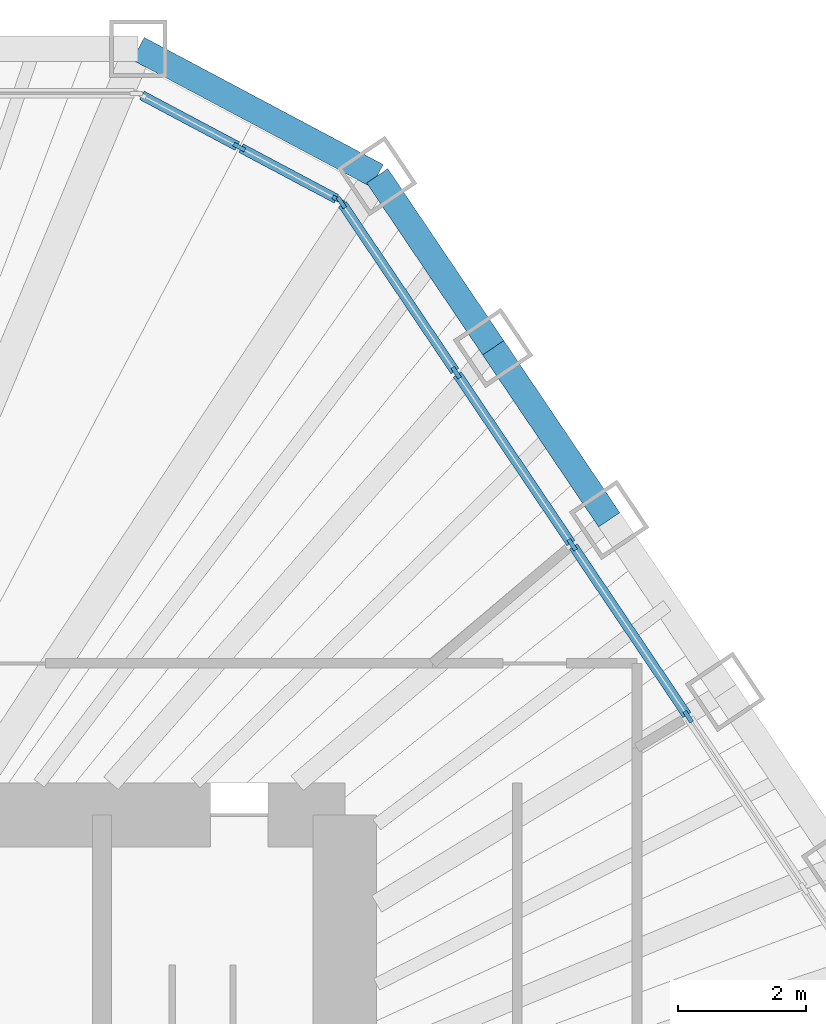
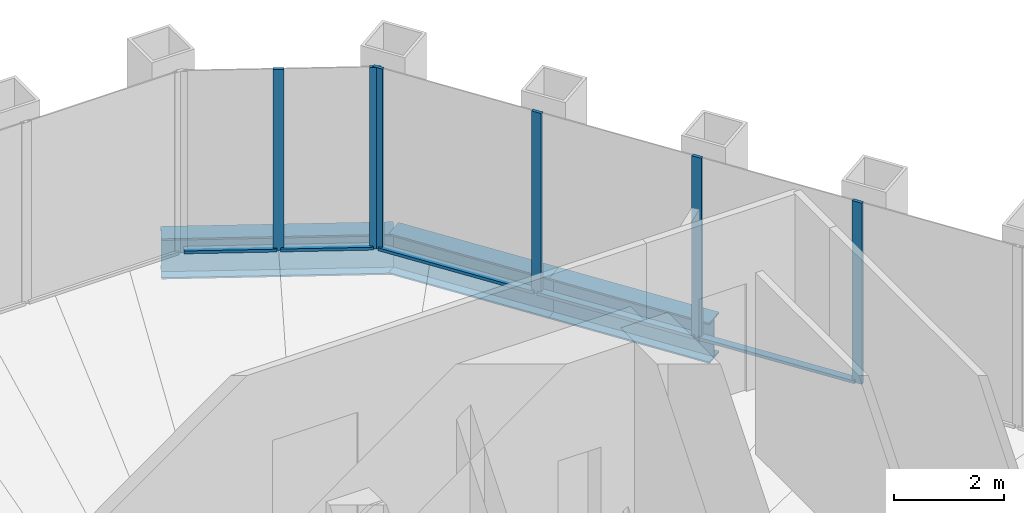
# One storey, part 8 of 14: 11 members, 3 beams, 2 elements without a shape of their own.
"""IFC4 building model written with IfcOpenShell, lengths in metres."""

from ifc_helpers import new_model, si_unit, direction, frame, origin, origin_2d, place, context, subcontext, project, spatial, rectangle, i_section, extrude, material, material_profile, profile_set, type_object, element, aggregate, save


model = new_model("IFC4")

# Units and contexts
model_context = context("Model", 3, precision=1e-05, world=origin(), true_north=direction((0.0, 1.0)))
body_context = subcontext(model_context, "Body", "Model", "MODEL_VIEW")
ifc_project = project(units=[si_unit("LENGTHUNIT", "METRE"), si_unit("AREAUNIT", "SQUARE_METRE"), si_unit("VOLUMEUNIT", "CUBIC_METRE"), si_unit("PLANEANGLEUNIT", "RADIAN"), si_unit("MASSUNIT", "GRAM", prefix="KILO")], contexts=[model_context])

# Site, building, storey
site_placement = place(None, origin())
site = spatial("IfcSite", under=ifc_project, at=site_placement, CompositionType="ELEMENT")
building_placement = place(site_placement, origin())
building = spatial("IfcBuilding", under=site, at=building_placement, Name="Qingtian Harvest Tower", CompositionType="ELEMENT")
storey_placement = place(building_placement, frame((0.0, 0.0, 295.60009765625)))
storey = spatial("IfcBuildingStorey", under=building, at=storey_placement, Name="L65", CompositionType="ELEMENT", Elevation=295.60009765625)

# Curtain wall, members
ifc_material_1 = material(Name="Bronze-anodised aluminium curtain wall", Category="aluminium")
curtain_wall_type = type_object("IfcCurtainWallType", Name="Curtain wall CW5 upper office", PredefinedType="USERDEFINED", material=ifc_material_1)
curtain_wall_1_placement = place(storey_placement, origin())
curtain_wall_1 = element("IfcCurtainWall", 1, at=curtain_wall_1_placement, inside=storey, type_object=curtain_wall_type, Name="Curtain wall CW5 L65 NC", ObjectType="RECESSED CURTAIN WALL", PredefinedType="USERDEFINED")
ifc_material_2 = material(Name="Bronze-anodised aluminium mullion", Category="aluminium")
ifc_material_profile_1 = material_profile(ifc_material_2, rectangle(XDim=0.06494140625, YDim=0.199951171875, at=origin_2d()), Name="AL 65x200")
ifc_profile_set_1 = profile_set([ifc_material_profile_1], Name="Bronze-anodised aluminium mullion")
member_type_1 = type_object("IfcMemberType", Name="Mullion CWM 65x200", PredefinedType="MULLION", material=ifc_profile_set_1)
member_1_placement = place(storey_placement, frame((10.3466796875, 19.45947265625, 0.0), z_axis=(0.0, 0.0, 1.0), x_axis=(0.469471562786, 0.882947592859, 0.0)))
member_1 = element("IfcMember", 2, at=member_1_placement, type_object=member_type_1, Name="CW5 mullion 2", PredefinedType="MULLION", context=body_context, shape_type="SweptSolid", body=[
    extrude(rectangle(XDim=0.06494140625, YDim=0.199951171875, at=origin_2d()), origin(), (0.0, 0.0, 1.0), 4.02978515625),
])
member_2_placement = place(storey_placement, frame((11.89892578125, 18.634033203125, 0.0), z_axis=(0.0, 0.0, 1.0), x_axis=(0.469471562786, 0.882947592859, 0.0)))
member_2 = element("IfcMember", 3, at=member_2_placement, type_object=member_type_1, Name="CW5 mullion 3", PredefinedType="MULLION", context=body_context, shape_type="SweptSolid", body=[
    extrude(rectangle(XDim=0.06494140625, YDim=0.199951171875, at=origin_2d()), origin(), (0.0, 0.0, 1.0), 4.02978515625),
])

curtain_wall_2_placement = place(storey_placement, origin())
curtain_wall_2 = element("IfcCurtainWall", 4, at=curtain_wall_2_placement, inside=storey, type_object=curtain_wall_type, Name="Curtain wall CW5 L65 NE0-5", ObjectType="RECESSED CURTAIN WALL", PredefinedType="USERDEFINED")
member_3_placement = place(storey_placement, frame((11.94580078125, 18.592041015625, 0.0), z_axis=(0.0, 0.0, 1.0), x_axis=(0.829037572555, 0.559192903471, 0.0)))
member_3 = element("IfcMember", 5, at=member_3_placement, type_object=member_type_1, Name="CW5 mullion 1", PredefinedType="MULLION", context=body_context, shape_type="SweptSolid", body=[
    extrude(rectangle(XDim=0.06494140625, YDim=0.199951171875, at=origin_2d()), origin(), (0.0, 0.0, 1.0), 4.02978515625),
])
member_4_placement = place(storey_placement, frame((13.743896484375, 15.926025390625, 0.0), z_axis=(0.0, 0.0, 1.0), x_axis=(0.829037572555, 0.559192903471, 0.0)))
member_4 = element("IfcMember", 6, at=member_4_placement, type_object=member_type_1, Name="CW5 mullion 2", PredefinedType="MULLION", context=body_context, shape_type="SweptSolid", body=[
    extrude(rectangle(XDim=0.06494140625, YDim=0.199951171875, at=origin_2d()), origin(), (0.0, 0.0, 1.0), 4.02978515625),
])
member_5_placement = place(storey_placement, frame((15.56005859375, 13.2333984375, 0.0), z_axis=(0.0, 0.0, 1.0), x_axis=(0.829037572555, 0.559192903471, 0.0)))
member_5 = element("IfcMember", 7, at=member_5_placement, type_object=member_type_1, Name="CW5 mullion 3", PredefinedType="MULLION", context=body_context, shape_type="SweptSolid", body=[
    extrude(rectangle(XDim=0.06494140625, YDim=0.199951171875, at=origin_2d()), origin(), (0.0, 0.0, 1.0), 4.02978515625),
])
member_6_placement = place(storey_placement, frame((17.37646484375, 10.540771484375, 0.0), z_axis=(0.0, 0.0, 1.0), x_axis=(0.829037572555, 0.559192903471, 0.0)))
member_6 = element("IfcMember", 8, at=member_6_placement, type_object=member_type_1, Name="CW5 mullion 4", PredefinedType="MULLION", context=body_context, shape_type="SweptSolid", body=[
    extrude(rectangle(XDim=0.06494140625, YDim=0.199951171875, at=origin_2d()), origin(), (0.0, 0.0, 1.0), 4.02978515625),
])

# Beams
ifc_material_3 = material(Name="Steel SN490B", Category="steel")
ifc_material_profile_2 = material_profile(ifc_material_3, i_section(OverallWidth=0.39990234375, OverallDepth=0.89990234375, WebThickness=0.01904296875, FlangeThickness=0.035888671875, at=origin_2d()), Name="H900x400x19x36")
ifc_profile_set_2 = profile_set([ifc_material_profile_2], Name="Steel SN490B")
beam_type = type_object("IfcBeamType", Name="Spandrel beam SB4 H900x400x19x36", PredefinedType="SPANDREL", material=ifc_profile_set_2)
beam_1_placement = place(storey_placement, frame((8.765869140625, 21.0, -0.4501953125), z_axis=(0.882948599748, -0.469469669099, 0.0), x_axis=(0.469469669099, 0.882948599748, 0.0)))
element("IfcBeam", 9, at=beam_1_placement, inside=storey, type_object=beam_type, Name="Spandrel SB4 NC", PredefinedType="SPANDREL", context=body_context, shape_type="SweptSolid", body=[
    extrude(i_section(OverallWidth=0.39990234375, OverallDepth=0.89990234375, WebThickness=0.01904296875, FlangeThickness=0.035888671875, at=origin_2d()), origin(), (0.0, 0.0, 1.0), 4.23828125),
])
beam_2_placement = place(storey_placement, frame((12.508056640625, 19.01025390625, -0.4501953125), z_axis=(0.559184924833, -0.829042954158, 0.0), x_axis=(0.829042954158, 0.559184924833, 0.0)))
element("IfcBeam", 10, at=beam_2_placement, inside=storey, type_object=beam_type, Name="Spandrel SB4 NE0", PredefinedType="SPANDREL", context=body_context, shape_type="SweptSolid", body=[
    extrude(i_section(OverallWidth=0.39990234375, OverallDepth=0.89990234375, WebThickness=0.01904296875, FlangeThickness=0.035888671875, at=origin_2d()), origin(), (0.0, 0.0, 1.0), 3.247802734375),
])
beam_3_placement = place(storey_placement, frame((14.32421875, 16.317626953125, -0.4501953125), z_axis=(0.559201740147, -0.829031612073, 0.0), x_axis=(0.829031612073, 0.559201740147, 0.0)))
element("IfcBeam", 11, at=beam_3_placement, inside=storey, type_object=beam_type, Name="Spandrel SB4 NE1", PredefinedType="SPANDREL", context=body_context, shape_type="SweptSolid", body=[
    extrude(i_section(OverallWidth=0.39990234375, OverallDepth=0.89990234375, WebThickness=0.01904296875, FlangeThickness=0.035888671875, at=origin_2d()), origin(), (0.0, 0.0, 1.0), 3.248291015625),
])

# Member
ifc_material_4 = material(Name="Bronze-anodised aluminium transom", Category="aluminium")
ifc_material_profile_3 = material_profile(ifc_material_4, rectangle(XDim=0.14990234375, YDim=0.06494140625, at=origin_2d()), Name="AL 65x150")
ifc_profile_set_3 = profile_set([ifc_material_profile_3], Name="Bronze-anodised aluminium transom")
member_type_2 = type_object("IfcMemberType", Name="Transom CWT 65x150", PredefinedType="USERDEFINED", material=ifc_profile_set_3)
member_7_placement = place(storey_placement, frame((8.8232421875, 20.26953125, 0.032470703125), z_axis=(0.882927080927, -0.469510138086, 0.0), x_axis=(0.469510138086, 0.882927080927, 0.0)))
member_7 = element("IfcMember", 12, at=member_7_placement, type_object=member_type_2, Name="CW5 transom 1.1", ObjectType="TRANSOM", PredefinedType="USERDEFINED", context=body_context, shape_type="SweptSolid", body=[
    extrude(rectangle(XDim=0.14990234375, YDim=0.06494140625, at=origin_2d()), origin(), (0.0, 0.0, 1.0), 1.693115234375),
])

member_8_placement = place(storey_placement, frame((10.37548828125, 19.444091796875, 0.032470703125), z_axis=(0.882986854304, -0.469397715297, 0.0), x_axis=(0.469397715297, 0.882986854304, 0.0)))
member_8 = element("IfcMember", 13, at=member_8_placement, type_object=member_type_2, Name="CW5 transom 2.1", ObjectType="TRANSOM", PredefinedType="USERDEFINED", context=body_context, shape_type="SweptSolid", body=[
    extrude(rectangle(XDim=0.14990234375, YDim=0.06494140625, at=origin_2d()), origin(), (0.0, 0.0, 1.0), 1.69287109375),
])

aggregate(curtain_wall_1, [member_1, member_2, member_7, member_8])

member_9_placement = place(storey_placement, frame((11.9638671875, 18.56494140625, 0.032470703125), z_axis=(0.559251907839, -0.828997770551, 0.0), x_axis=(0.828997770551, 0.559251907839, 0.0)))
member_9 = element("IfcMember", 14, at=member_9_placement, type_object=member_type_2, Name="CW5 transom 1.1", ObjectType="TRANSOM", PredefinedType="USERDEFINED", context=body_context, shape_type="SweptSolid", body=[
    extrude(rectangle(XDim=0.14990234375, YDim=0.06494140625, at=origin_2d()), origin(), (0.0, 0.0, 1.0), 3.150634765625),
])

member_10_placement = place(storey_placement, frame((13.761962890625, 15.899169921875, 0.032470703125), z_axis=(0.55920542009, -0.829029129852, 0.0), x_axis=(0.829029129852, 0.55920542009, 0.0)))
member_10 = element("IfcMember", 15, at=member_10_placement, type_object=member_type_2, Name="CW5 transom 2.1", ObjectType="TRANSOM", PredefinedType="USERDEFINED", context=body_context, shape_type="SweptSolid", body=[
    extrude(rectangle(XDim=0.14990234375, YDim=0.06494140625, at=origin_2d()), origin(), (0.0, 0.0, 1.0), 3.18310546875),
])

member_11_placement = place(storey_placement, frame((15.578369140625, 13.20654296875, 0.032470703125), z_axis=(0.55920542009, -0.829029129852, 0.0), x_axis=(0.829029129852, 0.55920542009, 0.0)))
member_11 = element("IfcMember", 16, at=member_11_placement, type_object=member_type_2, Name="CW5 transom 3.1", ObjectType="TRANSOM", PredefinedType="USERDEFINED", context=body_context, shape_type="SweptSolid", body=[
    extrude(rectangle(XDim=0.14990234375, YDim=0.06494140625, at=origin_2d()), origin(), (0.0, 0.0, 1.0), 3.18310546875),
])

aggregate(curtain_wall_2, [member_3, member_4, member_5, member_6, member_9, member_10, member_11])

save(model, "model.ifc")
